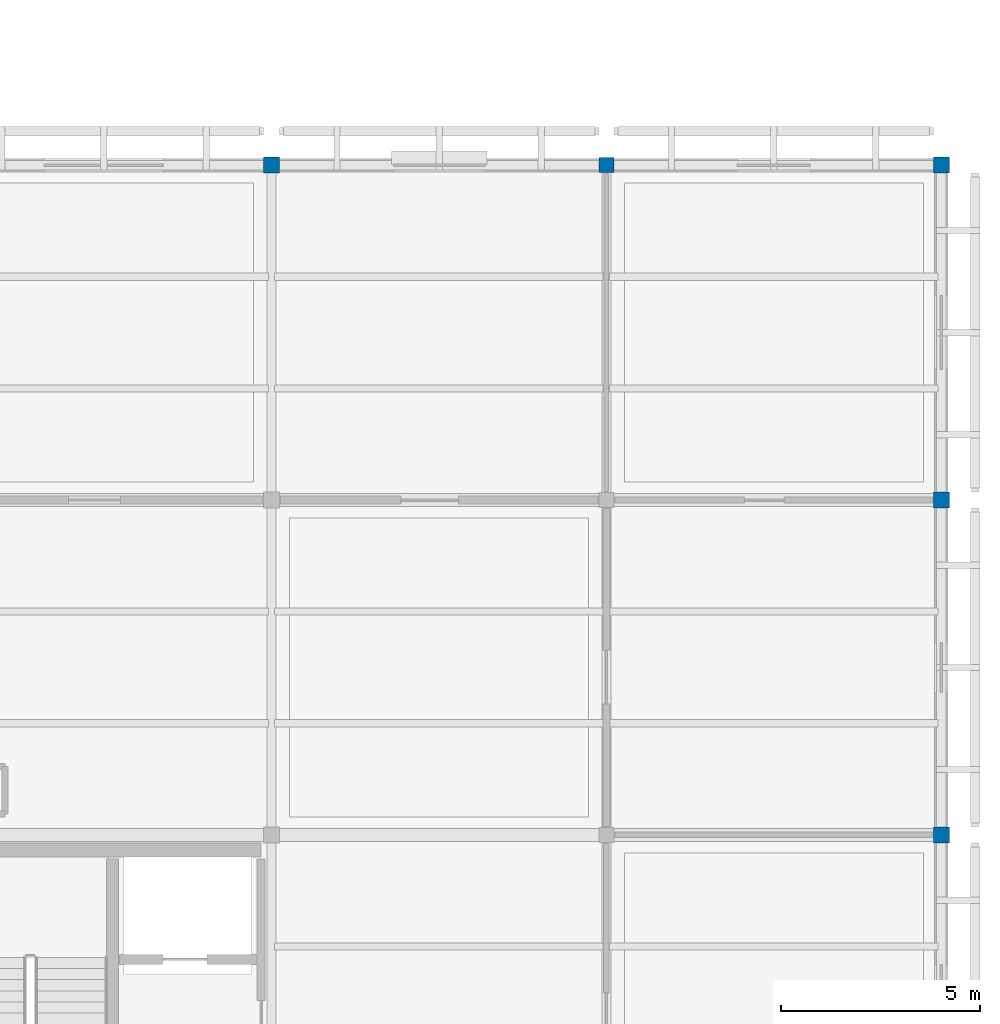
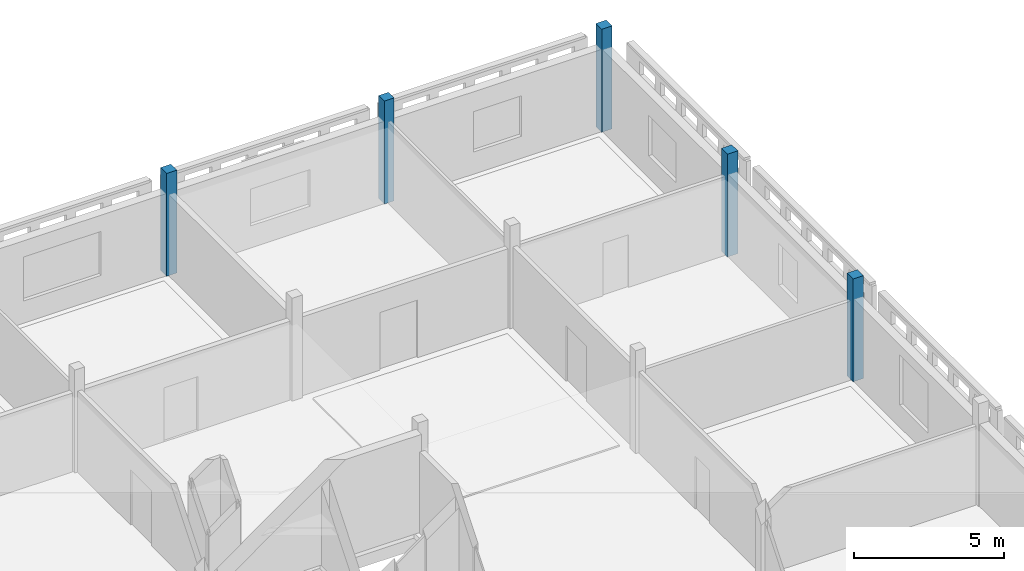
# One storey, part 13 of 140: 5 columns.
"""IFC4 building model written with IfcOpenShell, lengths in metres."""

from ifc_helpers import new_model, si_unit, direction, frame, origin, origin_2d, place, context, subcontext, project, spatial, rectangle, extrude, material, material_profile, profile_set, type_object, element, save


model = new_model("IFC4")

# Units and contexts
model_context = context("Model", 3, precision=1e-05, world=origin(), true_north=direction((0.0, 1.0)))
body_context = subcontext(model_context, "Body", "Model", "MODEL_VIEW")
ifc_project = project(units=[si_unit("LENGTHUNIT", "METRE"), si_unit("AREAUNIT", "SQUARE_METRE"), si_unit("VOLUMEUNIT", "CUBIC_METRE"), si_unit("PLANEANGLEUNIT", "RADIAN"), si_unit("MASSUNIT", "GRAM", prefix="KILO")], contexts=[model_context])

# Site, building, storey
site_placement = place(None, origin())
site = spatial("IfcSite", under=ifc_project, at=site_placement, CompositionType="ELEMENT")
building_placement = place(site_placement, origin())
building = spatial("IfcBuilding", under=site, at=building_placement, Name="Varnapada Polytechnic", CompositionType="ELEMENT")
storey_placement = place(building_placement, frame((0.0, 0.0, 13.800048828125)))
storey = spatial("IfcBuildingStorey", under=building, at=storey_placement, Name="L03", CompositionType="ELEMENT", Elevation=13.800048828125)

# Columns
ifc_material = material(Name="Glulam GL32h", Category="wood")
ifc_material_profile_1 = material_profile(ifc_material, rectangle(XDim=0.39990234375, YDim=0.39990234375, at=origin_2d()), Name="GL 400x400")
ifc_profile_set_1 = profile_set([ifc_material_profile_1], Name="Glulam GL32h")
column_type_1 = type_object("IfcColumnType", Name="Column C-13 (GL 400x400)", PredefinedType="COLUMN", material=ifc_profile_set_1)
for number, where, z_axis, x_axis, name in (
    (1, (159.60009765625, 117.60009765625, 0.0), (0.0, 0.0, 1.0), (1.0, 0.0, 0.0), "L03 column 20/15"),
    (2, (176.39990234375, 100.800048828125, 0.0), (0.0, 0.0, 1.0), (1.0, 0.0, 0.0), "L03 column 22/13"),
    (3, (176.39990234375, 109.199951171875, 0.0), (0.0, 0.0, 1.0), (1.0, 0.0, 0.0), "L03 column 22/14"),
    (4, (176.39990234375, 117.60009765625, 0.0), (0.0, 0.0, 1.0), (1.0, 0.0, 0.0), "L03 column 22/15"),
):
    element("IfcColumn", number, at=place(storey_placement, frame(where, z_axis=z_axis, x_axis=x_axis)), inside=storey, type_object=column_type_1, Name=name, PredefinedType="COLUMN", context=body_context, shape_type="SweptSolid", body=[
        extrude(rectangle(XDim=0.39990234375, YDim=0.39990234375, at=origin_2d()), origin(), (0.0, 0.0, 1.0), 4.199951171875),
    ])
ifc_material_profile_2 = material_profile(ifc_material, rectangle(XDim=0.3798828125, YDim=0.3798828125, at=origin_2d()), Name="GL 380x380")
ifc_profile_set_2 = profile_set([ifc_material_profile_2], Name="Glulam GL32h")
column_type_2 = type_object("IfcColumnType", Name="Column C-24 (GL 380x380)", PredefinedType="COLUMN", material=ifc_profile_set_2)
column_placement = place(storey_placement, frame((168.0, 117.60009765625, 0.0), z_axis=(0.0, 0.0, 1.0), x_axis=(1.0, 0.0, 0.0)))
element("IfcColumn", 5, at=column_placement, inside=storey, type_object=column_type_2, Name="L03 column 21/15", PredefinedType="COLUMN", context=body_context, shape_type="SweptSolid", body=[
    extrude(rectangle(XDim=0.3798828125, YDim=0.3798828125, at=origin_2d()), origin(), (0.0, 0.0, 1.0), 4.199951171875),
])

save(model, "model.ifc")
